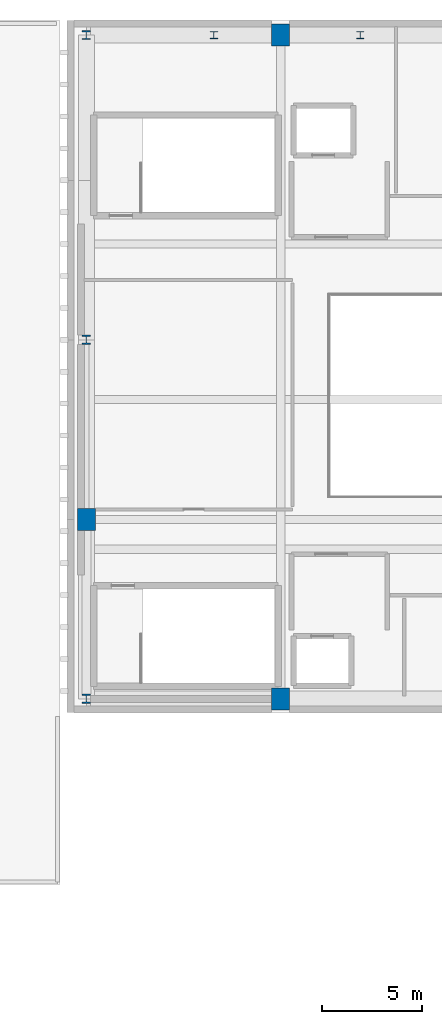
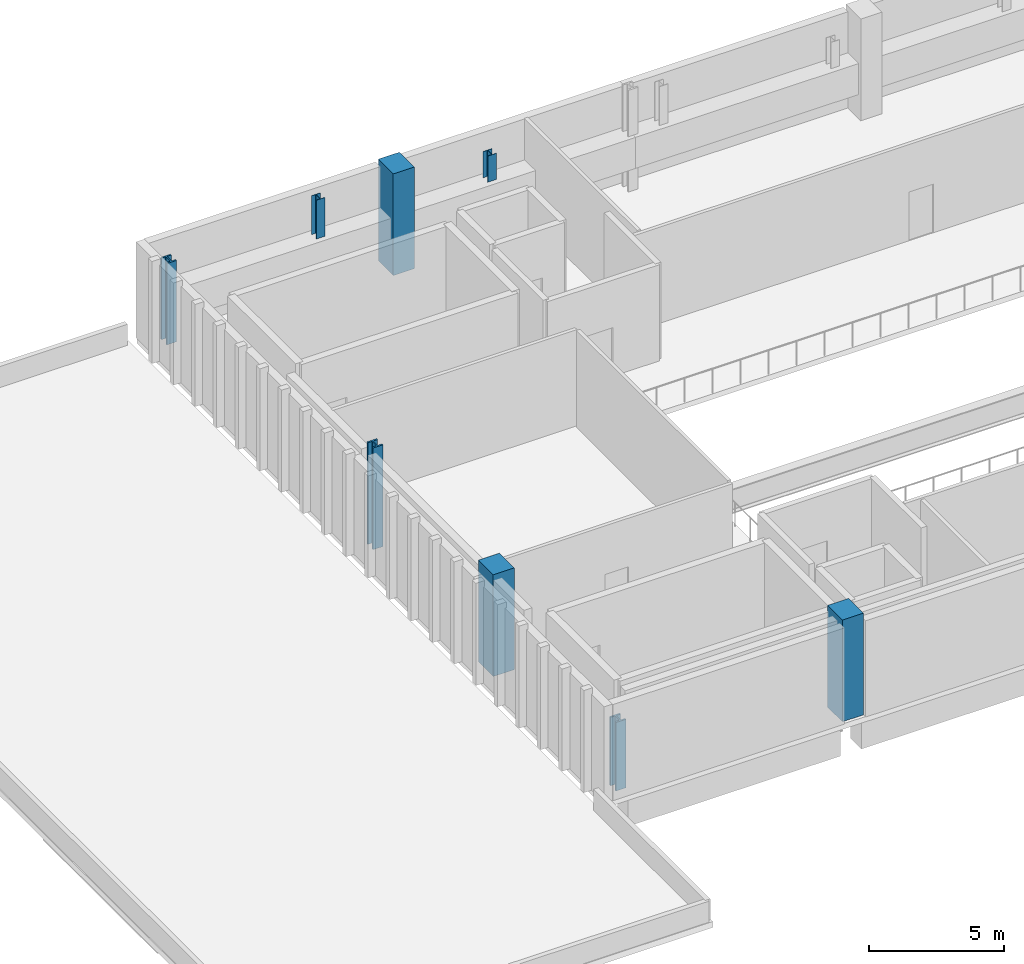
# One storey, part 1 of 8: 8 columns.
"""IFC4 building model written with IfcOpenShell, lengths in metres."""

from ifc_helpers import new_model, si_unit, direction, frame, origin, origin_2d, place, context, subcontext, project, spatial, rectangle, i_section, extrude, material, material_profile, profile_set, type_object, element, save


model = new_model("IFC4")

# Units and contexts
model_context = context("Model", 3, precision=1e-05, world=origin(), true_north=direction((0.0, 1.0)))
body_context = subcontext(model_context, "Body", "Model", "MODEL_VIEW")
ifc_project = project(units=[si_unit("LENGTHUNIT", "METRE"), si_unit("AREAUNIT", "SQUARE_METRE"), si_unit("VOLUMEUNIT", "CUBIC_METRE"), si_unit("PLANEANGLEUNIT", "RADIAN"), si_unit("MASSUNIT", "GRAM", prefix="KILO")], contexts=[model_context])

# Site, building, storey
site_placement = place(None, origin())
site = spatial("IfcSite", under=ifc_project, at=site_placement, CompositionType="ELEMENT")
building_placement = place(site_placement, origin())
building = spatial("IfcBuilding", under=site, at=building_placement, Name="Trimount Lyric Opera House", CompositionType="ELEMENT")
storey_placement = place(building_placement, frame((0.0, 0.0, 29.60009765625)))
storey = spatial("IfcBuildingStorey", under=building, at=storey_placement, Name="L06", CompositionType="ELEMENT", Elevation=29.60009765625)

# Columns
ifc_material_1 = material(Name="Steel ASTM A992 Grade 50", Category="steel")
ifc_material_profile_1 = material_profile(ifc_material_1, i_section(OverallWidth=0.422119140625, OverallDepth=0.465087890625, WebThickness=0.044921875, FlangeThickness=0.072509765625, FilletRadius=0.02001953125, at=origin_2d()), Name="W14X398")
ifc_profile_set_1 = profile_set([ifc_material_profile_1], Name="Steel ASTM A992 Grade 50")
column_type_1 = type_object("IfcColumnType", Name="C-01", PredefinedType="COLUMN", material=ifc_profile_set_1)
column_1_placement = place(storey_placement, frame((64.260009765625, 84.0, 0.0), z_axis=(0.0, 0.0, 1.0), x_axis=(1.0, 0.0, 0.0)))
element("IfcColumn", 1, at=column_1_placement, inside=storey, type_object=column_type_1, Name="L06 column 8/K", PredefinedType="COLUMN", context=body_context, shape_type="SweptSolid", body=[
    extrude(i_section(OverallWidth=0.422119140625, OverallDepth=0.465087890625, WebThickness=0.044921875, FlangeThickness=0.072509765625, FilletRadius=0.02001953125, at=origin_2d()), origin(), (0.0, 0.0, 1.0), 3.099853515625),
])
column_2_placement = place(storey_placement, frame((64.260009765625, 102.0, 0.0), z_axis=(0.0, 0.0, 1.0), x_axis=(1.0, 0.0, 0.0)))
element("IfcColumn", 2, at=column_2_placement, inside=storey, type_object=column_type_1, Name="L06 column 8/M", PredefinedType="COLUMN", context=body_context, shape_type="SweptSolid", body=[
    extrude(i_section(OverallWidth=0.422119140625, OverallDepth=0.465087890625, WebThickness=0.044921875, FlangeThickness=0.072509765625, FilletRadius=0.02001953125, at=origin_2d()), origin(), (0.0, 0.0, 1.0), 4.599853515625),
])
column_3_placement = place(storey_placement, frame((64.260009765625, 117.280029296875, 0.0), z_axis=(0.0, 0.0, 1.0), x_axis=(1.0, 0.0, 0.0)))
element("IfcColumn", 3, at=column_3_placement, inside=storey, type_object=column_type_1, Name="L06 column 8/P", PredefinedType="COLUMN", context=body_context, shape_type="SweptSolid", body=[
    extrude(i_section(OverallWidth=0.422119140625, OverallDepth=0.465087890625, WebThickness=0.044921875, FlangeThickness=0.072509765625, FilletRadius=0.02001953125, at=origin_2d()), origin(), (0.0, 0.0, 1.0), 3.679931640625),
])
ifc_material_2 = material(Name="Steel ASTM A992 Grade 50", Category="steel")
ifc_material_profile_2 = material_profile(ifc_material_2, i_section(OverallWidth=0.367919921875, OverallDepth=0.35595703125, WebThickness=0.01123046875, FlangeThickness=0.01806640625, FilletRadius=0.014892578125, at=origin_2d()), Name="W14X90")
ifc_profile_set_2 = profile_set([ifc_material_profile_2], Name="Steel ASTM A992 Grade 50")
column_type_2 = type_object("IfcColumnType", Name="C-05", PredefinedType="COLUMN", material=ifc_profile_set_2)
column_4_placement = place(storey_placement, frame((70.6572265625, 117.280029296875, 2.5), z_axis=(0.0, 0.0, 1.0), x_axis=(1.0, 0.0, 0.0)))
element("IfcColumn", 4, at=column_4_placement, inside=storey, type_object=column_type_2, Name="L06 fly-tower north eave post 2N", PredefinedType="COLUMN", context=body_context, shape_type="SweptSolid", body=[
    extrude(i_section(OverallWidth=0.367919921875, OverallDepth=0.35595703125, WebThickness=0.01123046875, FlangeThickness=0.01806640625, FilletRadius=0.014892578125, at=origin_2d()), origin(), (0.0, 0.0, 1.0), 1.75634765625),
])
column_5_placement = place(storey_placement, frame((77.994384765625, 117.280029296875, 2.5), z_axis=(0.0, 0.0, 1.0), x_axis=(1.0, 0.0, 0.0)))
element("IfcColumn", 5, at=column_5_placement, inside=storey, type_object=column_type_2, Name="L06 fly-tower north eave post 3N", PredefinedType="COLUMN", context=body_context, shape_type="SweptSolid", body=[
    extrude(i_section(OverallWidth=0.367919921875, OverallDepth=0.35595703125, WebThickness=0.01123046875, FlangeThickness=0.01806640625, FilletRadius=0.014892578125, at=origin_2d()), origin(), (0.0, 0.0, 1.0), 1.1865234375),
])
ifc_material_3 = material(Name="Concrete C50/60", Category="concrete")
ifc_material_profile_3 = material_profile(ifc_material_3, rectangle(XDim=0.89990234375, YDim=1.10009765625, at=origin_2d()), Name="RC1100X900")
ifc_profile_set_3 = profile_set([ifc_material_profile_3], Name="Concrete C50/60")
column_type_3 = type_object("IfcColumnType", Name="C-11", PredefinedType="COLUMN", material=ifc_profile_set_3)
for number, where, z_axis, x_axis, name in (
    (6, (64.260009765625, 93.0, 0.0), (0.0, 0.0, 1.0), (1.0, 0.0, 0.0), "L06 column 8/L"),
    (7, (74.0, 84.0, 0.0), (0.0, 0.0, 1.0), (1.0, 0.0, 0.0), "L06 column 9/K"),
    (8, (74.0, 117.280029296875, 0.0), (0.0, 0.0, 1.0), (1.0, 0.0, 0.0), "L06 column 9/P"),
):
    element("IfcColumn", number, at=place(storey_placement, frame(where, z_axis=z_axis, x_axis=x_axis)), inside=storey, type_object=column_type_3, Name=name, PredefinedType="COLUMN", context=body_context, shape_type="SweptSolid", body=[
        extrude(rectangle(XDim=0.89990234375, YDim=1.10009765625, at=origin_2d()), origin(), (0.0, 0.0, 1.0), 4.599853515625),
    ])

save(model, "model.ifc")
